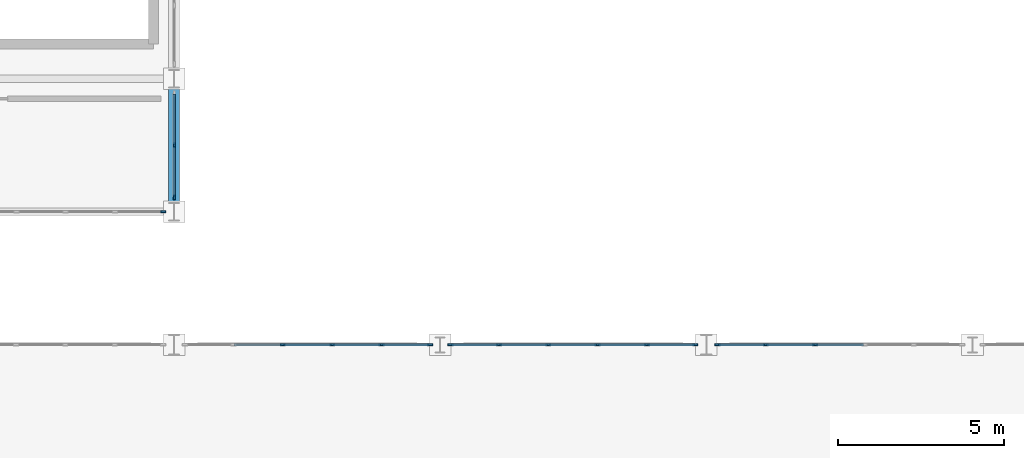
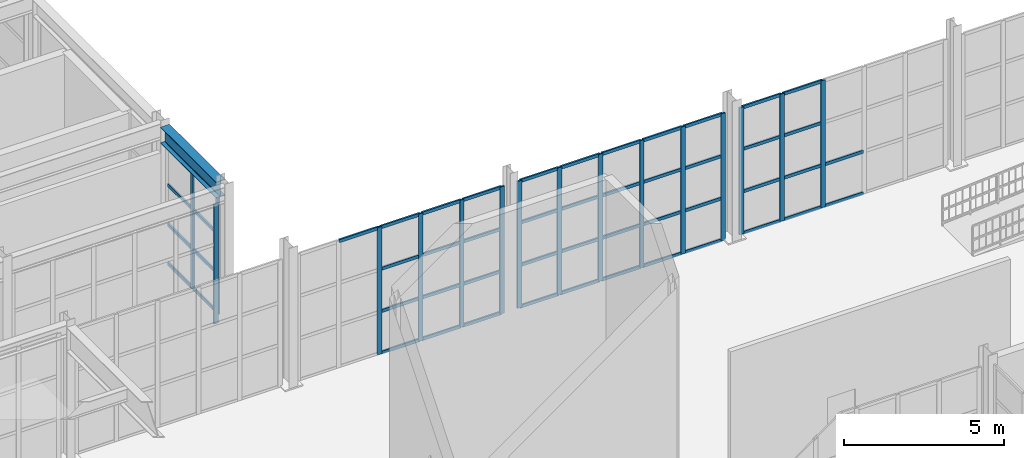
# One storey, part 36 of 82: 67 members, 1 beam, 5 elements without a shape of their own.
"""IFC4 building model written with IfcOpenShell, lengths in metres."""

from ifc_helpers import new_model, si_unit, direction, frame, origin, origin_2d, place, context, subcontext, project, spatial, rectangle, i_section, extrude, material, material_profile, profile_set, type_object, element, aggregate, save


model = new_model("IFC4")

# Units and contexts
model_context = context("Model", 3, precision=1e-05, world=origin(), true_north=direction((0.0, 1.0)))
body_context = subcontext(model_context, "Body", "Model", "MODEL_VIEW")
ifc_project = project(units=[si_unit("LENGTHUNIT", "METRE"), si_unit("AREAUNIT", "SQUARE_METRE"), si_unit("VOLUMEUNIT", "CUBIC_METRE"), si_unit("PLANEANGLEUNIT", "RADIAN"), si_unit("MASSUNIT", "GRAM", prefix="KILO")], contexts=[model_context])

# Site, building, storey
site_placement = place(None, origin())
site = spatial("IfcSite", under=ifc_project, at=site_placement, CompositionType="ELEMENT")
building_placement = place(site_placement, origin())
building = spatial("IfcBuilding", under=site, at=building_placement, Name="Serraluz Foothill Cableway Terminal", CompositionType="ELEMENT")
storey_placement = place(building_placement, frame((0.0, 0.0, 9.60009765625)))
storey = spatial("IfcBuildingStorey", under=building, at=storey_placement, Name="L02", CompositionType="ELEMENT", Elevation=9.60009765625)

# Beam
ifc_material_1 = material(Name="Steel ASTM A992 Grade 50", Category="steel")
ifc_material_profile_1 = material_profile(ifc_material_1, i_section(OverallWidth=0.324951171875, OverallDepth=0.615966796875, WebThickness=0.013916015625, FlangeThickness=0.021484375, FilletRadius=0.01806640625, at=origin_2d()), Name="W24X117")
ifc_profile_set_1 = profile_set([ifc_material_profile_1], Name="Steel ASTM A992 Grade 50")
beam_type = type_object("IfcBeamType", Name="TYP-BM-W24X117", PredefinedType="BEAM", material=ifc_profile_set_1)
beam_placement = place(storey_placement, frame((104.0, 76.267578125, 4.851806640625), z_axis=(0.0, 1.0, 0.0), x_axis=(-1.0, 0.0, 0.0)))
element("IfcBeam", 1, at=beam_placement, inside=storey, type_object=beam_type, Name="Transverse Girder BM-Y-L02-0339", PredefinedType="BEAM", context=body_context, shape_type="SweptSolid", body=[
    extrude(i_section(OverallWidth=0.324951171875, OverallDepth=0.615966796875, WebThickness=0.013916015625, FlangeThickness=0.021484375, FilletRadius=0.01806640625, at=origin_2d()), origin(), (0.0, 0.0, 1.0), 3.46484375),
])

# Curtain wall, members
ifc_material_2 = material(Name="Architectural bronze alloy C28000", Category="aluminium")
curtain_wall_type_1 = type_object("IfcCurtainWallType", Name="TYP-CW-360X380", PredefinedType="NOTDEFINED", material=ifc_material_2)
curtain_wall_1_placement = place(storey_placement, origin())
curtain_wall_1 = element("IfcCurtainWall", 2, at=curtain_wall_1_placement, inside=storey, type_object=curtain_wall_type_1, Name="Ribbed Glazed Curtain Wall CW-V1N-L02-104", PredefinedType="NOTDEFINED")
ifc_material_profile_2 = material_profile(ifc_material_2, rectangle(XDim=0.06005859375, YDim=0.159912109375, at=origin_2d()), Name="ALU MULLION 60x160")
ifc_profile_set_2 = profile_set([ifc_material_profile_2], Name="Architectural bronze alloy C28000")
member_type_1 = type_object("IfcMemberType", Name="TYP-CW-MUL-60X160", PredefinedType="MULLION", material=ifc_profile_set_2)
member_1_placement = place(storey_placement, frame((107.268798828125, 72.0, 0.0), z_axis=(0.0, 0.0, 1.0), x_axis=(0.0, 1.0, 0.0)))
member_1 = element("IfcMember", 3, at=member_1_placement, type_object=member_type_1, Name="CW-18 mullion 3", PredefinedType="MULLION", context=body_context, shape_type="SweptSolid", body=[
    extrude(rectangle(XDim=0.06005859375, YDim=0.159912109375, at=origin_2d()), origin(), (0.0, 0.0, 1.0), 4.849853515625),
])
member_2_placement = place(storey_placement, frame((108.752197265625, 72.0, 0.0), z_axis=(0.0, 0.0, 1.0), x_axis=(0.0, 1.0, 0.0)))
member_2 = element("IfcMember", 4, at=member_2_placement, type_object=member_type_1, Name="CW-18 mullion 4", PredefinedType="MULLION", context=body_context, shape_type="SweptSolid", body=[
    extrude(rectangle(XDim=0.06005859375, YDim=0.159912109375, at=origin_2d()), origin(), (0.0, 0.0, 1.0), 4.849853515625),
])
member_3_placement = place(storey_placement, frame((110.2353515625, 72.0, 0.0), z_axis=(0.0, 0.0, 1.0), x_axis=(0.0, 1.0, 0.0)))
member_3 = element("IfcMember", 5, at=member_3_placement, type_object=member_type_1, Name="CW-18 mullion 5", PredefinedType="MULLION", context=body_context, shape_type="SweptSolid", body=[
    extrude(rectangle(XDim=0.06005859375, YDim=0.159912109375, at=origin_2d()), origin(), (0.0, 0.0, 1.0), 4.849853515625),
])
member_4_placement = place(storey_placement, frame((111.6884765625, 72.0, 0.0), z_axis=(0.0, 0.0, 1.0), x_axis=(0.0, 1.0, 0.0)))
member_4 = element("IfcMember", 6, at=member_4_placement, type_object=member_type_1, Name="CW-18 mullion 6", PredefinedType="MULLION", context=body_context, shape_type="SweptSolid", body=[
    extrude(rectangle(XDim=0.06005859375, YDim=0.159912109375, at=origin_2d()), origin(), (0.0, 0.0, 1.0), 4.849853515625),
])

curtain_wall_type_2 = type_object("IfcCurtainWallType", Name="TYP-CW-880X420", PredefinedType="NOTDEFINED", material=ifc_material_2)
curtain_wall_2_placement = place(storey_placement, origin())
curtain_wall_2 = element("IfcCurtainWall", 7, at=curtain_wall_2_placement, inside=storey, type_object=curtain_wall_type_2, Name="Ribbed Glazed Curtain Wall CW-V1N-L02-112", PredefinedType="NOTDEFINED")
member_5_placement = place(storey_placement, frame((112.3115234375, 72.0, 0.0), z_axis=(0.0, 0.0, 1.0), x_axis=(0.0, 1.0, 0.0)))
member_5 = element("IfcMember", 8, at=member_5_placement, type_object=member_type_1, Name="CW-19 mullion 1", PredefinedType="MULLION", context=body_context, shape_type="SweptSolid", body=[
    extrude(rectangle(XDim=0.06005859375, YDim=0.159912109375, at=origin_2d()), origin(), (0.0, 0.0, 1.0), 4.849853515625),
])
member_6_placement = place(storey_placement, frame((113.7646484375, 72.0, 0.0), z_axis=(0.0, 0.0, 1.0), x_axis=(0.0, 1.0, 0.0)))
member_6 = element("IfcMember", 9, at=member_6_placement, type_object=member_type_1, Name="CW-19 mullion 2", PredefinedType="MULLION", context=body_context, shape_type="SweptSolid", body=[
    extrude(rectangle(XDim=0.06005859375, YDim=0.159912109375, at=origin_2d()), origin(), (0.0, 0.0, 1.0), 4.849853515625),
])
member_7_placement = place(storey_placement, frame((115.247802734375, 72.0, 0.0), z_axis=(0.0, 0.0, 1.0), x_axis=(0.0, 1.0, 0.0)))
member_7 = element("IfcMember", 10, at=member_7_placement, type_object=member_type_1, Name="CW-19 mullion 3", PredefinedType="MULLION", context=body_context, shape_type="SweptSolid", body=[
    extrude(rectangle(XDim=0.06005859375, YDim=0.159912109375, at=origin_2d()), origin(), (0.0, 0.0, 1.0), 4.849853515625),
])
member_8_placement = place(storey_placement, frame((116.731201171875, 72.0, 0.0), z_axis=(0.0, 0.0, 1.0), x_axis=(0.0, 1.0, 0.0)))
member_8 = element("IfcMember", 11, at=member_8_placement, type_object=member_type_1, Name="CW-19 mullion 4", PredefinedType="MULLION", context=body_context, shape_type="SweptSolid", body=[
    extrude(rectangle(XDim=0.06005859375, YDim=0.159912109375, at=origin_2d()), origin(), (0.0, 0.0, 1.0), 4.849853515625),
])
member_9_placement = place(storey_placement, frame((118.21435546875, 72.0, 0.0), z_axis=(0.0, 0.0, 1.0), x_axis=(0.0, 1.0, 0.0)))
member_9 = element("IfcMember", 12, at=member_9_placement, type_object=member_type_1, Name="CW-19 mullion 5", PredefinedType="MULLION", context=body_context, shape_type="SweptSolid", body=[
    extrude(rectangle(XDim=0.06005859375, YDim=0.159912109375, at=origin_2d()), origin(), (0.0, 0.0, 1.0), 4.849853515625),
])
member_10_placement = place(storey_placement, frame((119.66748046875, 72.0, 0.0), z_axis=(0.0, 0.0, 1.0), x_axis=(0.0, 1.0, 0.0)))
member_10 = element("IfcMember", 13, at=member_10_placement, type_object=member_type_1, Name="CW-19 mullion 6", PredefinedType="MULLION", context=body_context, shape_type="SweptSolid", body=[
    extrude(rectangle(XDim=0.06005859375, YDim=0.159912109375, at=origin_2d()), origin(), (0.0, 0.0, 1.0), 4.849853515625),
])

curtain_wall_type_3 = type_object("IfcCurtainWallType", Name="TYP-CW-920X440", PredefinedType="NOTDEFINED", material=ifc_material_2)
curtain_wall_3_placement = place(storey_placement, origin())
curtain_wall_3 = element("IfcCurtainWall", 14, at=curtain_wall_3_placement, inside=storey, type_object=curtain_wall_type_3, Name="Ribbed Glazed Curtain Wall CW-V1N-L02-120", PredefinedType="NOTDEFINED")
member_11_placement = place(storey_placement, frame((120.33251953125, 72.0, 0.0), z_axis=(0.0, 0.0, 1.0), x_axis=(0.0, 1.0, 0.0)))
member_11 = element("IfcMember", 15, at=member_11_placement, type_object=member_type_1, Name="CW-20 mullion 1", PredefinedType="MULLION", context=body_context, shape_type="SweptSolid", body=[
    extrude(rectangle(XDim=0.06005859375, YDim=0.159912109375, at=origin_2d()), origin(), (0.0, 0.0, 1.0), 4.849853515625),
])
member_12_placement = place(storey_placement, frame((121.78564453125, 72.0, 0.0), z_axis=(0.0, 0.0, 1.0), x_axis=(0.0, 1.0, 0.0)))
member_12 = element("IfcMember", 16, at=member_12_placement, type_object=member_type_1, Name="CW-20 mullion 2", PredefinedType="MULLION", context=body_context, shape_type="SweptSolid", body=[
    extrude(rectangle(XDim=0.06005859375, YDim=0.159912109375, at=origin_2d()), origin(), (0.0, 0.0, 1.0), 4.849853515625),
])
member_13_placement = place(storey_placement, frame((123.268798828125, 72.0, 0.0), z_axis=(0.0, 0.0, 1.0), x_axis=(0.0, 1.0, 0.0)))
member_13 = element("IfcMember", 17, at=member_13_placement, type_object=member_type_1, Name="CW-20 mullion 3", PredefinedType="MULLION", context=body_context, shape_type="SweptSolid", body=[
    extrude(rectangle(XDim=0.06005859375, YDim=0.159912109375, at=origin_2d()), origin(), (0.0, 0.0, 1.0), 4.849853515625),
])

# Curtain wall, member
curtain_wall_type_4 = type_object("IfcCurtainWallType", Name="TYP-CW-680X420", PredefinedType="NOTDEFINED", material=ifc_material_2)
curtain_wall_4_placement = place(storey_placement, origin())
curtain_wall_4 = element("IfcCurtainWall", 18, at=curtain_wall_4_placement, inside=storey, type_object=curtain_wall_type_4, Name="Ribbed Glazed Curtain Wall CW-V4S-L02-96", PredefinedType="NOTDEFINED")
member_14_placement = place(storey_placement, frame((103.674072265625, 76.0, 0.0), z_axis=(0.0, 0.0, 1.0), x_axis=(0.0, -1.0, 0.0)))
member_14 = element("IfcMember", 19, at=member_14_placement, type_object=member_type_1, Name="CW-13 mullion 1", PredefinedType="MULLION", context=body_context, shape_type="SweptSolid", body=[
    extrude(rectangle(XDim=0.06005859375, YDim=0.159912109375, at=origin_2d()), origin(), (0.0, 0.0, 1.0), 4.5478515625),
])
aggregate(curtain_wall_4, [member_14])

# Curtain wall, members
curtain_wall_5_placement = place(storey_placement, origin())
curtain_wall_5 = element("IfcCurtainWall", 20, at=curtain_wall_5_placement, inside=storey, type_object=curtain_wall_type_4, Name="Ribbed Glazed Curtain Wall CW-V4E-L02-76", PredefinedType="NOTDEFINED")
member_15_placement = place(storey_placement, frame((104.0, 78.0, 0.0), z_axis=(0.0, 0.0, 1.0), x_axis=(1.0, 0.0, 0.0)))
member_15 = element("IfcMember", 21, at=member_15_placement, type_object=member_type_1, Name="CW-13 mullion 2", PredefinedType="MULLION", context=body_context, shape_type="SweptSolid", body=[
    extrude(rectangle(XDim=0.06005859375, YDim=0.159912109375, at=origin_2d()), origin(), (0.0, 0.0, 1.0), 4.5439453125),
])
member_16_placement = place(storey_placement, frame((104.0, 76.44140625, 0.0), z_axis=(0.0, 0.0, 1.0), x_axis=(1.0, 0.0, 0.0)))
member_16 = element("IfcMember", 22, at=member_16_placement, type_object=member_type_1, Name="CW-13 mullion 3", PredefinedType="MULLION", context=body_context, shape_type="SweptSolid", body=[
    extrude(rectangle(XDim=0.06005859375, YDim=0.159912109375, at=origin_2d()), origin(), (0.0, 0.0, 1.0), 4.5439453125),
])

# Member
ifc_material_profile_3 = material_profile(ifc_material_2, rectangle(XDim=0.06005859375, YDim=0.1201171875, at=origin_2d()), Name="ALU TRANSOM 60x120")
ifc_profile_set_3 = profile_set([ifc_material_profile_3], Name="Architectural bronze alloy C28000")
member_type_2 = type_object("IfcMemberType", Name="TYP-CW-TRN-60X120", PredefinedType="USERDEFINED", material=ifc_profile_set_3)
member_17_placement = place(storey_placement, frame((105.815673828125, 72.0, 4.81982421875), z_axis=(1.0, 0.0, 0.0), x_axis=(0.0, 1.0, 0.0)))
member_17 = element("IfcMember", 23, at=member_17_placement, type_object=member_type_2, Name="CW-18 transom 2.4", ObjectType="TRANSOM", PredefinedType="USERDEFINED", context=body_context, shape_type="SweptSolid", body=[
    extrude(rectangle(XDim=0.06005859375, YDim=0.1201171875, at=origin_2d()), origin(), (0.0, 0.0, 1.0), 1.42333984375),
])

member_18_placement = place(storey_placement, frame((107.298828125, 72.0, 0.02978515625), z_axis=(1.0, 0.0, 0.0), x_axis=(0.0, 1.0, 0.0)))
member_18 = element("IfcMember", 24, at=member_18_placement, type_object=member_type_2, Name="CW-18 transom 3.1", ObjectType="TRANSOM", PredefinedType="USERDEFINED", context=body_context, shape_type="SweptSolid", body=[
    extrude(rectangle(XDim=0.06005859375, YDim=0.1201171875, at=origin_2d()), origin(), (0.0, 0.0, 1.0), 1.42333984375),
])

member_19_placement = place(storey_placement, frame((107.298828125, 72.0, 1.61669921875), z_axis=(1.0, 0.0, 0.0), x_axis=(0.0, 1.0, 0.0)))
member_19 = element("IfcMember", 25, at=member_19_placement, type_object=member_type_2, Name="CW-18 transom 3.2", ObjectType="TRANSOM", PredefinedType="USERDEFINED", context=body_context, shape_type="SweptSolid", body=[
    extrude(rectangle(XDim=0.06005859375, YDim=0.1201171875, at=origin_2d()), origin(), (0.0, 0.0, 1.0), 1.42333984375),
])

member_20_placement = place(storey_placement, frame((107.298828125, 72.0, 3.233154296875), z_axis=(1.0, 0.0, 0.0), x_axis=(0.0, 1.0, 0.0)))
member_20 = element("IfcMember", 26, at=member_20_placement, type_object=member_type_2, Name="CW-18 transom 3.3", ObjectType="TRANSOM", PredefinedType="USERDEFINED", context=body_context, shape_type="SweptSolid", body=[
    extrude(rectangle(XDim=0.06005859375, YDim=0.1201171875, at=origin_2d()), origin(), (0.0, 0.0, 1.0), 1.42333984375),
])

member_21_placement = place(storey_placement, frame((107.298828125, 72.0, 4.81982421875), z_axis=(1.0, 0.0, 0.0), x_axis=(0.0, 1.0, 0.0)))
member_21 = element("IfcMember", 27, at=member_21_placement, type_object=member_type_2, Name="CW-18 transom 3.4", ObjectType="TRANSOM", PredefinedType="USERDEFINED", context=body_context, shape_type="SweptSolid", body=[
    extrude(rectangle(XDim=0.06005859375, YDim=0.1201171875, at=origin_2d()), origin(), (0.0, 0.0, 1.0), 1.42333984375),
])

member_22_placement = place(storey_placement, frame((108.781982421875, 72.0, 0.02978515625), z_axis=(1.0, 0.0, 0.0), x_axis=(0.0, 1.0, 0.0)))
member_22 = element("IfcMember", 28, at=member_22_placement, type_object=member_type_2, Name="CW-18 transom 4.1", ObjectType="TRANSOM", PredefinedType="USERDEFINED", context=body_context, shape_type="SweptSolid", body=[
    extrude(rectangle(XDim=0.06005859375, YDim=0.1201171875, at=origin_2d()), origin(), (0.0, 0.0, 1.0), 1.42333984375),
])

member_23_placement = place(storey_placement, frame((108.781982421875, 72.0, 1.61669921875), z_axis=(1.0, 0.0, 0.0), x_axis=(0.0, 1.0, 0.0)))
member_23 = element("IfcMember", 29, at=member_23_placement, type_object=member_type_2, Name="CW-18 transom 4.2", ObjectType="TRANSOM", PredefinedType="USERDEFINED", context=body_context, shape_type="SweptSolid", body=[
    extrude(rectangle(XDim=0.06005859375, YDim=0.1201171875, at=origin_2d()), origin(), (0.0, 0.0, 1.0), 1.42333984375),
])

member_24_placement = place(storey_placement, frame((108.781982421875, 72.0, 3.233154296875), z_axis=(1.0, 0.0, 0.0), x_axis=(0.0, 1.0, 0.0)))
member_24 = element("IfcMember", 30, at=member_24_placement, type_object=member_type_2, Name="CW-18 transom 4.3", ObjectType="TRANSOM", PredefinedType="USERDEFINED", context=body_context, shape_type="SweptSolid", body=[
    extrude(rectangle(XDim=0.06005859375, YDim=0.1201171875, at=origin_2d()), origin(), (0.0, 0.0, 1.0), 1.42333984375),
])

member_25_placement = place(storey_placement, frame((108.781982421875, 72.0, 4.81982421875), z_axis=(1.0, 0.0, 0.0), x_axis=(0.0, 1.0, 0.0)))
member_25 = element("IfcMember", 31, at=member_25_placement, type_object=member_type_2, Name="CW-18 transom 4.4", ObjectType="TRANSOM", PredefinedType="USERDEFINED", context=body_context, shape_type="SweptSolid", body=[
    extrude(rectangle(XDim=0.06005859375, YDim=0.1201171875, at=origin_2d()), origin(), (0.0, 0.0, 1.0), 1.42333984375),
])

member_26_placement = place(storey_placement, frame((110.265380859375, 72.0, 0.02978515625), z_axis=(1.0, 0.0, 0.0), x_axis=(0.0, 1.0, 0.0)))
member_26 = element("IfcMember", 32, at=member_26_placement, type_object=member_type_2, Name="CW-18 transom 5.1", ObjectType="TRANSOM", PredefinedType="USERDEFINED", context=body_context, shape_type="SweptSolid", body=[
    extrude(rectangle(XDim=0.06005859375, YDim=0.1201171875, at=origin_2d()), origin(), (0.0, 0.0, 1.0), 1.39306640625),
])

member_27_placement = place(storey_placement, frame((110.265380859375, 72.0, 1.61669921875), z_axis=(1.0, 0.0, 0.0), x_axis=(0.0, 1.0, 0.0)))
member_27 = element("IfcMember", 33, at=member_27_placement, type_object=member_type_2, Name="CW-18 transom 5.2", ObjectType="TRANSOM", PredefinedType="USERDEFINED", context=body_context, shape_type="SweptSolid", body=[
    extrude(rectangle(XDim=0.06005859375, YDim=0.1201171875, at=origin_2d()), origin(), (0.0, 0.0, 1.0), 1.39306640625),
])

member_28_placement = place(storey_placement, frame((110.265380859375, 72.0, 3.233154296875), z_axis=(1.0, 0.0, 0.0), x_axis=(0.0, 1.0, 0.0)))
member_28 = element("IfcMember", 34, at=member_28_placement, type_object=member_type_2, Name="CW-18 transom 5.3", ObjectType="TRANSOM", PredefinedType="USERDEFINED", context=body_context, shape_type="SweptSolid", body=[
    extrude(rectangle(XDim=0.06005859375, YDim=0.1201171875, at=origin_2d()), origin(), (0.0, 0.0, 1.0), 1.39306640625),
])

member_29_placement = place(storey_placement, frame((110.265380859375, 72.0, 4.81982421875), z_axis=(1.0, 0.0, 0.0), x_axis=(0.0, 1.0, 0.0)))
member_29 = element("IfcMember", 35, at=member_29_placement, type_object=member_type_2, Name="CW-18 transom 5.4", ObjectType="TRANSOM", PredefinedType="USERDEFINED", context=body_context, shape_type="SweptSolid", body=[
    extrude(rectangle(XDim=0.06005859375, YDim=0.1201171875, at=origin_2d()), origin(), (0.0, 0.0, 1.0), 1.39306640625),
])

aggregate(curtain_wall_1, [member_1, member_2, member_3, member_4, member_17, member_18, member_19, member_20, member_21, member_22, member_23, member_24, member_25, member_26, member_27, member_28, member_29])

member_30_placement = place(storey_placement, frame((112.341552734375, 72.0, 0.02978515625), z_axis=(1.0, 0.0, 0.0), x_axis=(0.0, 1.0, 0.0)))
member_30 = element("IfcMember", 36, at=member_30_placement, type_object=member_type_2, Name="CW-19 transom 1.1", ObjectType="TRANSOM", PredefinedType="USERDEFINED", context=body_context, shape_type="SweptSolid", body=[
    extrude(rectangle(XDim=0.06005859375, YDim=0.1201171875, at=origin_2d()), origin(), (0.0, 0.0, 1.0), 1.39306640625),
])

member_31_placement = place(storey_placement, frame((112.341552734375, 72.0, 1.61669921875), z_axis=(1.0, 0.0, 0.0), x_axis=(0.0, 1.0, 0.0)))
member_31 = element("IfcMember", 37, at=member_31_placement, type_object=member_type_2, Name="CW-19 transom 1.2", ObjectType="TRANSOM", PredefinedType="USERDEFINED", context=body_context, shape_type="SweptSolid", body=[
    extrude(rectangle(XDim=0.06005859375, YDim=0.1201171875, at=origin_2d()), origin(), (0.0, 0.0, 1.0), 1.39306640625),
])

member_32_placement = place(storey_placement, frame((112.341552734375, 72.0, 3.233154296875), z_axis=(1.0, 0.0, 0.0), x_axis=(0.0, 1.0, 0.0)))
member_32 = element("IfcMember", 38, at=member_32_placement, type_object=member_type_2, Name="CW-19 transom 1.3", ObjectType="TRANSOM", PredefinedType="USERDEFINED", context=body_context, shape_type="SweptSolid", body=[
    extrude(rectangle(XDim=0.06005859375, YDim=0.1201171875, at=origin_2d()), origin(), (0.0, 0.0, 1.0), 1.39306640625),
])

member_33_placement = place(storey_placement, frame((112.341552734375, 72.0, 4.81982421875), z_axis=(1.0, 0.0, 0.0), x_axis=(0.0, 1.0, 0.0)))
member_33 = element("IfcMember", 39, at=member_33_placement, type_object=member_type_2, Name="CW-19 transom 1.4", ObjectType="TRANSOM", PredefinedType="USERDEFINED", context=body_context, shape_type="SweptSolid", body=[
    extrude(rectangle(XDim=0.06005859375, YDim=0.1201171875, at=origin_2d()), origin(), (0.0, 0.0, 1.0), 1.39306640625),
])

member_34_placement = place(storey_placement, frame((113.794677734375, 72.0, 0.02978515625), z_axis=(1.0, 0.0, 0.0), x_axis=(0.0, 1.0, 0.0)))
member_34 = element("IfcMember", 40, at=member_34_placement, type_object=member_type_2, Name="CW-19 transom 2.1", ObjectType="TRANSOM", PredefinedType="USERDEFINED", context=body_context, shape_type="SweptSolid", body=[
    extrude(rectangle(XDim=0.06005859375, YDim=0.1201171875, at=origin_2d()), origin(), (0.0, 0.0, 1.0), 1.42333984375),
])

member_35_placement = place(storey_placement, frame((113.794677734375, 72.0, 1.61669921875), z_axis=(1.0, 0.0, 0.0), x_axis=(0.0, 1.0, 0.0)))
member_35 = element("IfcMember", 41, at=member_35_placement, type_object=member_type_2, Name="CW-19 transom 2.2", ObjectType="TRANSOM", PredefinedType="USERDEFINED", context=body_context, shape_type="SweptSolid", body=[
    extrude(rectangle(XDim=0.06005859375, YDim=0.1201171875, at=origin_2d()), origin(), (0.0, 0.0, 1.0), 1.42333984375),
])

member_36_placement = place(storey_placement, frame((113.794677734375, 72.0, 3.233154296875), z_axis=(1.0, 0.0, 0.0), x_axis=(0.0, 1.0, 0.0)))
member_36 = element("IfcMember", 42, at=member_36_placement, type_object=member_type_2, Name="CW-19 transom 2.3", ObjectType="TRANSOM", PredefinedType="USERDEFINED", context=body_context, shape_type="SweptSolid", body=[
    extrude(rectangle(XDim=0.06005859375, YDim=0.1201171875, at=origin_2d()), origin(), (0.0, 0.0, 1.0), 1.42333984375),
])

member_37_placement = place(storey_placement, frame((113.794677734375, 72.0, 4.81982421875), z_axis=(1.0, 0.0, 0.0), x_axis=(0.0, 1.0, 0.0)))
member_37 = element("IfcMember", 43, at=member_37_placement, type_object=member_type_2, Name="CW-19 transom 2.4", ObjectType="TRANSOM", PredefinedType="USERDEFINED", context=body_context, shape_type="SweptSolid", body=[
    extrude(rectangle(XDim=0.06005859375, YDim=0.1201171875, at=origin_2d()), origin(), (0.0, 0.0, 1.0), 1.42333984375),
])

member_38_placement = place(storey_placement, frame((115.27783203125, 72.0, 0.02978515625), z_axis=(1.0, 0.0, 0.0), x_axis=(0.0, 1.0, 0.0)))
member_38 = element("IfcMember", 44, at=member_38_placement, type_object=member_type_2, Name="CW-19 transom 3.1", ObjectType="TRANSOM", PredefinedType="USERDEFINED", context=body_context, shape_type="SweptSolid", body=[
    extrude(rectangle(XDim=0.06005859375, YDim=0.1201171875, at=origin_2d()), origin(), (0.0, 0.0, 1.0), 1.42333984375),
])

member_39_placement = place(storey_placement, frame((115.27783203125, 72.0, 1.61669921875), z_axis=(1.0, 0.0, 0.0), x_axis=(0.0, 1.0, 0.0)))
member_39 = element("IfcMember", 45, at=member_39_placement, type_object=member_type_2, Name="CW-19 transom 3.2", ObjectType="TRANSOM", PredefinedType="USERDEFINED", context=body_context, shape_type="SweptSolid", body=[
    extrude(rectangle(XDim=0.06005859375, YDim=0.1201171875, at=origin_2d()), origin(), (0.0, 0.0, 1.0), 1.42333984375),
])

member_40_placement = place(storey_placement, frame((115.27783203125, 72.0, 3.233154296875), z_axis=(1.0, 0.0, 0.0), x_axis=(0.0, 1.0, 0.0)))
member_40 = element("IfcMember", 46, at=member_40_placement, type_object=member_type_2, Name="CW-19 transom 3.3", ObjectType="TRANSOM", PredefinedType="USERDEFINED", context=body_context, shape_type="SweptSolid", body=[
    extrude(rectangle(XDim=0.06005859375, YDim=0.1201171875, at=origin_2d()), origin(), (0.0, 0.0, 1.0), 1.42333984375),
])

member_41_placement = place(storey_placement, frame((115.27783203125, 72.0, 4.81982421875), z_axis=(1.0, 0.0, 0.0), x_axis=(0.0, 1.0, 0.0)))
member_41 = element("IfcMember", 47, at=member_41_placement, type_object=member_type_2, Name="CW-19 transom 3.4", ObjectType="TRANSOM", PredefinedType="USERDEFINED", context=body_context, shape_type="SweptSolid", body=[
    extrude(rectangle(XDim=0.06005859375, YDim=0.1201171875, at=origin_2d()), origin(), (0.0, 0.0, 1.0), 1.42333984375),
])

member_42_placement = place(storey_placement, frame((116.760986328125, 72.0, 0.02978515625), z_axis=(1.0, 0.0, 0.0), x_axis=(0.0, 1.0, 0.0)))
member_42 = element("IfcMember", 48, at=member_42_placement, type_object=member_type_2, Name="CW-19 transom 4.1", ObjectType="TRANSOM", PredefinedType="USERDEFINED", context=body_context, shape_type="SweptSolid", body=[
    extrude(rectangle(XDim=0.06005859375, YDim=0.1201171875, at=origin_2d()), origin(), (0.0, 0.0, 1.0), 1.42333984375),
])

member_43_placement = place(storey_placement, frame((116.760986328125, 72.0, 1.61669921875), z_axis=(1.0, 0.0, 0.0), x_axis=(0.0, 1.0, 0.0)))
member_43 = element("IfcMember", 49, at=member_43_placement, type_object=member_type_2, Name="CW-19 transom 4.2", ObjectType="TRANSOM", PredefinedType="USERDEFINED", context=body_context, shape_type="SweptSolid", body=[
    extrude(rectangle(XDim=0.06005859375, YDim=0.1201171875, at=origin_2d()), origin(), (0.0, 0.0, 1.0), 1.42333984375),
])

member_44_placement = place(storey_placement, frame((116.760986328125, 72.0, 3.233154296875), z_axis=(1.0, 0.0, 0.0), x_axis=(0.0, 1.0, 0.0)))
member_44 = element("IfcMember", 50, at=member_44_placement, type_object=member_type_2, Name="CW-19 transom 4.3", ObjectType="TRANSOM", PredefinedType="USERDEFINED", context=body_context, shape_type="SweptSolid", body=[
    extrude(rectangle(XDim=0.06005859375, YDim=0.1201171875, at=origin_2d()), origin(), (0.0, 0.0, 1.0), 1.42333984375),
])

member_45_placement = place(storey_placement, frame((116.760986328125, 72.0, 4.81982421875), z_axis=(1.0, 0.0, 0.0), x_axis=(0.0, 1.0, 0.0)))
member_45 = element("IfcMember", 51, at=member_45_placement, type_object=member_type_2, Name="CW-19 transom 4.4", ObjectType="TRANSOM", PredefinedType="USERDEFINED", context=body_context, shape_type="SweptSolid", body=[
    extrude(rectangle(XDim=0.06005859375, YDim=0.1201171875, at=origin_2d()), origin(), (0.0, 0.0, 1.0), 1.42333984375),
])

member_46_placement = place(storey_placement, frame((118.244384765625, 72.0, 0.02978515625), z_axis=(1.0, 0.0, 0.0), x_axis=(0.0, 1.0, 0.0)))
member_46 = element("IfcMember", 52, at=member_46_placement, type_object=member_type_2, Name="CW-19 transom 5.1", ObjectType="TRANSOM", PredefinedType="USERDEFINED", context=body_context, shape_type="SweptSolid", body=[
    extrude(rectangle(XDim=0.06005859375, YDim=0.1201171875, at=origin_2d()), origin(), (0.0, 0.0, 1.0), 1.39306640625),
])

member_47_placement = place(storey_placement, frame((118.244384765625, 72.0, 1.61669921875), z_axis=(1.0, 0.0, 0.0), x_axis=(0.0, 1.0, 0.0)))
member_47 = element("IfcMember", 53, at=member_47_placement, type_object=member_type_2, Name="CW-19 transom 5.2", ObjectType="TRANSOM", PredefinedType="USERDEFINED", context=body_context, shape_type="SweptSolid", body=[
    extrude(rectangle(XDim=0.06005859375, YDim=0.1201171875, at=origin_2d()), origin(), (0.0, 0.0, 1.0), 1.39306640625),
])

member_48_placement = place(storey_placement, frame((118.244384765625, 72.0, 3.233154296875), z_axis=(1.0, 0.0, 0.0), x_axis=(0.0, 1.0, 0.0)))
member_48 = element("IfcMember", 54, at=member_48_placement, type_object=member_type_2, Name="CW-19 transom 5.3", ObjectType="TRANSOM", PredefinedType="USERDEFINED", context=body_context, shape_type="SweptSolid", body=[
    extrude(rectangle(XDim=0.06005859375, YDim=0.1201171875, at=origin_2d()), origin(), (0.0, 0.0, 1.0), 1.39306640625),
])

member_49_placement = place(storey_placement, frame((118.244384765625, 72.0, 4.81982421875), z_axis=(1.0, 0.0, 0.0), x_axis=(0.0, 1.0, 0.0)))
member_49 = element("IfcMember", 55, at=member_49_placement, type_object=member_type_2, Name="CW-19 transom 5.4", ObjectType="TRANSOM", PredefinedType="USERDEFINED", context=body_context, shape_type="SweptSolid", body=[
    extrude(rectangle(XDim=0.06005859375, YDim=0.1201171875, at=origin_2d()), origin(), (0.0, 0.0, 1.0), 1.39306640625),
])

aggregate(curtain_wall_2, [member_5, member_6, member_7, member_8, member_9, member_10, member_30, member_31, member_32, member_33, member_34, member_35, member_36, member_37, member_38, member_39, member_40, member_41, member_42, member_43, member_44, member_45, member_46, member_47, member_48, member_49])

member_50_placement = place(storey_placement, frame((120.362548828125, 72.0, 0.02978515625), z_axis=(1.0, 0.0, 0.0), x_axis=(0.0, 1.0, 0.0)))
member_50 = element("IfcMember", 56, at=member_50_placement, type_object=member_type_2, Name="CW-20 transom 1.1", ObjectType="TRANSOM", PredefinedType="USERDEFINED", context=body_context, shape_type="SweptSolid", body=[
    extrude(rectangle(XDim=0.06005859375, YDim=0.1201171875, at=origin_2d()), origin(), (0.0, 0.0, 1.0), 1.39306640625),
])

member_51_placement = place(storey_placement, frame((120.362548828125, 72.0, 1.61669921875), z_axis=(1.0, 0.0, 0.0), x_axis=(0.0, 1.0, 0.0)))
member_51 = element("IfcMember", 57, at=member_51_placement, type_object=member_type_2, Name="CW-20 transom 1.2", ObjectType="TRANSOM", PredefinedType="USERDEFINED", context=body_context, shape_type="SweptSolid", body=[
    extrude(rectangle(XDim=0.06005859375, YDim=0.1201171875, at=origin_2d()), origin(), (0.0, 0.0, 1.0), 1.39306640625),
])

member_52_placement = place(storey_placement, frame((120.362548828125, 72.0, 3.233154296875), z_axis=(1.0, 0.0, 0.0), x_axis=(0.0, 1.0, 0.0)))
member_52 = element("IfcMember", 58, at=member_52_placement, type_object=member_type_2, Name="CW-20 transom 1.3", ObjectType="TRANSOM", PredefinedType="USERDEFINED", context=body_context, shape_type="SweptSolid", body=[
    extrude(rectangle(XDim=0.06005859375, YDim=0.1201171875, at=origin_2d()), origin(), (0.0, 0.0, 1.0), 1.39306640625),
])

member_53_placement = place(storey_placement, frame((120.362548828125, 72.0, 4.81982421875), z_axis=(1.0, 0.0, 0.0), x_axis=(0.0, 1.0, 0.0)))
member_53 = element("IfcMember", 59, at=member_53_placement, type_object=member_type_2, Name="CW-20 transom 1.4", ObjectType="TRANSOM", PredefinedType="USERDEFINED", context=body_context, shape_type="SweptSolid", body=[
    extrude(rectangle(XDim=0.06005859375, YDim=0.1201171875, at=origin_2d()), origin(), (0.0, 0.0, 1.0), 1.39306640625),
])

member_54_placement = place(storey_placement, frame((121.815673828125, 72.0, 0.02978515625), z_axis=(1.0, 0.0, 0.0), x_axis=(0.0, 1.0, 0.0)))
member_54 = element("IfcMember", 60, at=member_54_placement, type_object=member_type_2, Name="CW-20 transom 2.1", ObjectType="TRANSOM", PredefinedType="USERDEFINED", context=body_context, shape_type="SweptSolid", body=[
    extrude(rectangle(XDim=0.06005859375, YDim=0.1201171875, at=origin_2d()), origin(), (0.0, 0.0, 1.0), 1.42333984375),
])

member_55_placement = place(storey_placement, frame((121.815673828125, 72.0, 1.61669921875), z_axis=(1.0, 0.0, 0.0), x_axis=(0.0, 1.0, 0.0)))
member_55 = element("IfcMember", 61, at=member_55_placement, type_object=member_type_2, Name="CW-20 transom 2.2", ObjectType="TRANSOM", PredefinedType="USERDEFINED", context=body_context, shape_type="SweptSolid", body=[
    extrude(rectangle(XDim=0.06005859375, YDim=0.1201171875, at=origin_2d()), origin(), (0.0, 0.0, 1.0), 1.42333984375),
])

member_56_placement = place(storey_placement, frame((121.815673828125, 72.0, 3.233154296875), z_axis=(1.0, 0.0, 0.0), x_axis=(0.0, 1.0, 0.0)))
member_56 = element("IfcMember", 62, at=member_56_placement, type_object=member_type_2, Name="CW-20 transom 2.3", ObjectType="TRANSOM", PredefinedType="USERDEFINED", context=body_context, shape_type="SweptSolid", body=[
    extrude(rectangle(XDim=0.06005859375, YDim=0.1201171875, at=origin_2d()), origin(), (0.0, 0.0, 1.0), 1.42333984375),
])

member_57_placement = place(storey_placement, frame((121.815673828125, 72.0, 4.81982421875), z_axis=(1.0, 0.0, 0.0), x_axis=(0.0, 1.0, 0.0)))
member_57 = element("IfcMember", 63, at=member_57_placement, type_object=member_type_2, Name="CW-20 transom 2.4", ObjectType="TRANSOM", PredefinedType="USERDEFINED", context=body_context, shape_type="SweptSolid", body=[
    extrude(rectangle(XDim=0.06005859375, YDim=0.1201171875, at=origin_2d()), origin(), (0.0, 0.0, 1.0), 1.42333984375),
])

member_58_placement = place(storey_placement, frame((123.298828125, 72.0, 0.02978515625), z_axis=(1.0, 0.0, 0.0), x_axis=(0.0, 1.0, 0.0)))
member_58 = element("IfcMember", 64, at=member_58_placement, type_object=member_type_2, Name="CW-20 transom 3.1", ObjectType="TRANSOM", PredefinedType="USERDEFINED", context=body_context, shape_type="SweptSolid", body=[
    extrude(rectangle(XDim=0.06005859375, YDim=0.1201171875, at=origin_2d()), origin(), (0.0, 0.0, 1.0), 1.42333984375),
])

member_59_placement = place(storey_placement, frame((123.298828125, 72.0, 1.61669921875), z_axis=(1.0, 0.0, 0.0), x_axis=(0.0, 1.0, 0.0)))
member_59 = element("IfcMember", 65, at=member_59_placement, type_object=member_type_2, Name="CW-20 transom 3.2", ObjectType="TRANSOM", PredefinedType="USERDEFINED", context=body_context, shape_type="SweptSolid", body=[
    extrude(rectangle(XDim=0.06005859375, YDim=0.1201171875, at=origin_2d()), origin(), (0.0, 0.0, 1.0), 1.42333984375),
])

aggregate(curtain_wall_3, [member_11, member_12, member_13, member_50, member_51, member_52, member_53, member_54, member_55, member_56, member_57, member_58, member_59])

member_60_placement = place(storey_placement, frame((104.0, 79.528564453125, 0.02978515625), z_axis=(0.0, -1.0, 0.0), x_axis=(1.0, 0.0, 0.0)))
member_60 = element("IfcMember", 66, at=member_60_placement, type_object=member_type_2, Name="CW-13 transom 1.1", ObjectType="TRANSOM", PredefinedType="USERDEFINED", context=body_context, shape_type="SweptSolid", body=[
    extrude(rectangle(XDim=0.06005859375, YDim=0.1201171875, at=origin_2d()), origin(), (0.0, 0.0, 1.0), 1.49853515625),
])

member_61_placement = place(storey_placement, frame((104.0, 79.528564453125, 1.5146484375), z_axis=(0.0, -1.0, 0.0), x_axis=(1.0, 0.0, 0.0)))
member_61 = element("IfcMember", 67, at=member_61_placement, type_object=member_type_2, Name="CW-13 transom 1.2", ObjectType="TRANSOM", PredefinedType="USERDEFINED", context=body_context, shape_type="SweptSolid", body=[
    extrude(rectangle(XDim=0.06005859375, YDim=0.1201171875, at=origin_2d()), origin(), (0.0, 0.0, 1.0), 1.49853515625),
])

member_62_placement = place(storey_placement, frame((104.0, 79.528564453125, 3.029296875), z_axis=(0.0, -1.0, 0.0), x_axis=(1.0, 0.0, 0.0)))
member_62 = element("IfcMember", 68, at=member_62_placement, type_object=member_type_2, Name="CW-13 transom 1.3", ObjectType="TRANSOM", PredefinedType="USERDEFINED", context=body_context, shape_type="SweptSolid", body=[
    extrude(rectangle(XDim=0.06005859375, YDim=0.1201171875, at=origin_2d()), origin(), (0.0, 0.0, 1.0), 1.49853515625),
])

member_63_placement = place(storey_placement, frame((104.0, 79.528564453125, 4.513916015625), z_axis=(0.0, -1.0, 0.0), x_axis=(1.0, 0.0, 0.0)))
member_63 = element("IfcMember", 69, at=member_63_placement, type_object=member_type_2, Name="CW-13 transom 1.4", ObjectType="TRANSOM", PredefinedType="USERDEFINED", context=body_context, shape_type="SweptSolid", body=[
    extrude(rectangle(XDim=0.06005859375, YDim=0.1201171875, at=origin_2d()), origin(), (0.0, 0.0, 1.0), 1.49853515625),
])

member_64_placement = place(storey_placement, frame((104.0, 77.969970703125, 0.02978515625), z_axis=(0.0, -1.0, 0.0), x_axis=(1.0, 0.0, 0.0)))
member_64 = element("IfcMember", 70, at=member_64_placement, type_object=member_type_2, Name="CW-13 transom 2.1", ObjectType="TRANSOM", PredefinedType="USERDEFINED", context=body_context, shape_type="SweptSolid", body=[
    extrude(rectangle(XDim=0.06005859375, YDim=0.1201171875, at=origin_2d()), origin(), (0.0, 0.0, 1.0), 1.49853515625),
])

member_65_placement = place(storey_placement, frame((104.0, 77.969970703125, 1.5146484375), z_axis=(0.0, -1.0, 0.0), x_axis=(1.0, 0.0, 0.0)))
member_65 = element("IfcMember", 71, at=member_65_placement, type_object=member_type_2, Name="CW-13 transom 2.2", ObjectType="TRANSOM", PredefinedType="USERDEFINED", context=body_context, shape_type="SweptSolid", body=[
    extrude(rectangle(XDim=0.06005859375, YDim=0.1201171875, at=origin_2d()), origin(), (0.0, 0.0, 1.0), 1.49853515625),
])

member_66_placement = place(storey_placement, frame((104.0, 77.969970703125, 3.029296875), z_axis=(0.0, -1.0, 0.0), x_axis=(1.0, 0.0, 0.0)))
member_66 = element("IfcMember", 72, at=member_66_placement, type_object=member_type_2, Name="CW-13 transom 2.3", ObjectType="TRANSOM", PredefinedType="USERDEFINED", context=body_context, shape_type="SweptSolid", body=[
    extrude(rectangle(XDim=0.06005859375, YDim=0.1201171875, at=origin_2d()), origin(), (0.0, 0.0, 1.0), 1.49853515625),
])

member_67_placement = place(storey_placement, frame((104.0, 77.969970703125, 4.513916015625), z_axis=(0.0, -1.0, 0.0), x_axis=(1.0, 0.0, 0.0)))
member_67 = element("IfcMember", 73, at=member_67_placement, type_object=member_type_2, Name="CW-13 transom 2.4", ObjectType="TRANSOM", PredefinedType="USERDEFINED", context=body_context, shape_type="SweptSolid", body=[
    extrude(rectangle(XDim=0.06005859375, YDim=0.1201171875, at=origin_2d()), origin(), (0.0, 0.0, 1.0), 1.49853515625),
])

aggregate(curtain_wall_5, [member_15, member_16, member_60, member_61, member_62, member_63, member_64, member_65, member_66, member_67])

save(model, "model.ifc")
